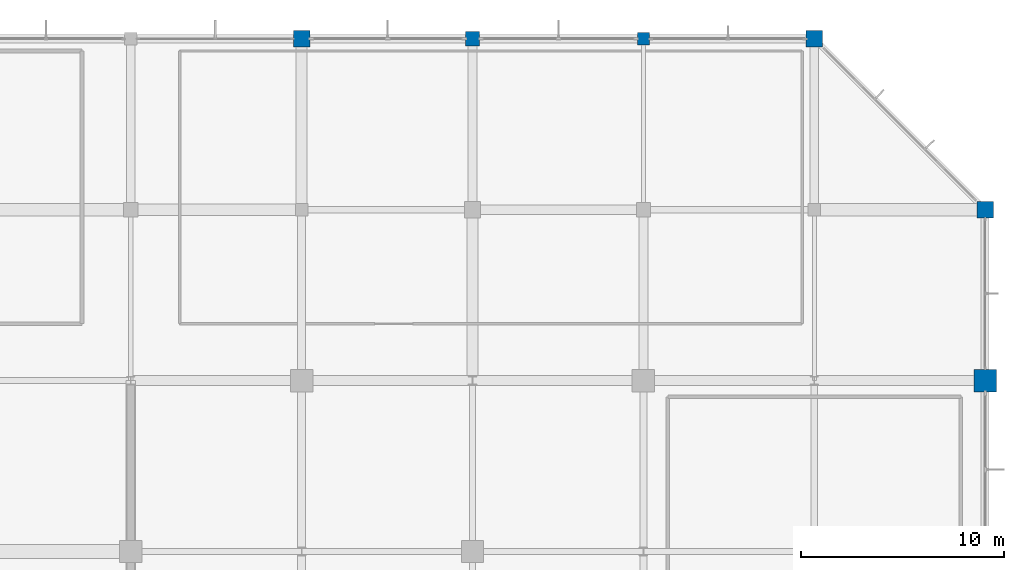
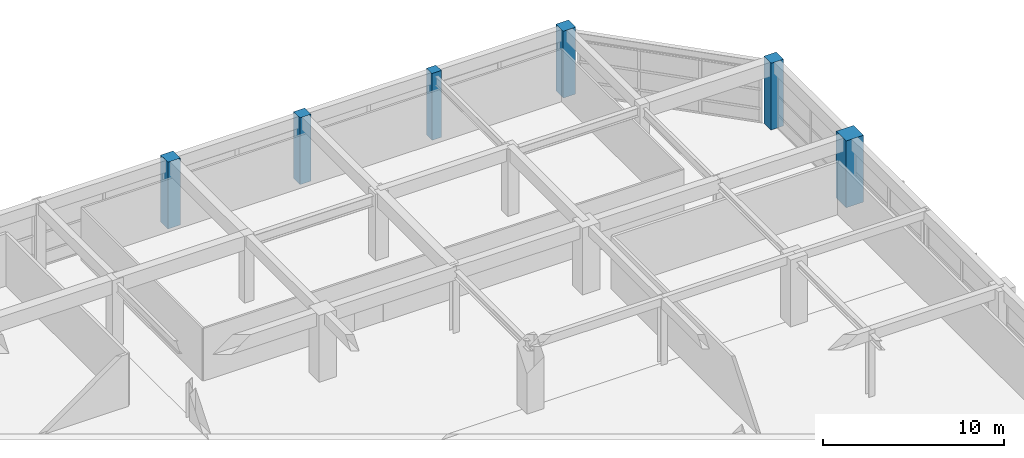
# One storey, part 9 of 56: 6 columns.
"""IFC4 building model written with IfcOpenShell, lengths in metres."""

from ifc_helpers import new_model, si_unit, direction, frame, origin, origin_2d, place, context, subcontext, project, spatial, rectangle, extrude, material, material_profile, profile_set, type_object, element, save


model = new_model("IFC4")

# Units and contexts
model_context = context("Model", 3, precision=1e-05, world=origin(), true_north=direction((0.0, 1.0)))
body_context = subcontext(model_context, "Body", "Model", "MODEL_VIEW")
ifc_project = project(units=[si_unit("LENGTHUNIT", "METRE"), si_unit("AREAUNIT", "SQUARE_METRE"), si_unit("VOLUMEUNIT", "CUBIC_METRE"), si_unit("PLANEANGLEUNIT", "RADIAN"), si_unit("MASSUNIT", "GRAM", prefix="KILO")], contexts=[model_context])

# Site, building, storey
site_placement = place(None, origin())
site = spatial("IfcSite", under=ifc_project, at=site_placement, CompositionType="ELEMENT")
building_placement = place(site_placement, origin())
building = spatial("IfcBuilding", under=site, at=building_placement, Name="Xuanlan Plaza Opera House", CompositionType="ELEMENT")
storey_placement = place(building_placement, frame((0.0, 0.0, 18.89990234375)))
storey = spatial("IfcBuildingStorey", under=building, at=storey_placement, Name="L04", CompositionType="ELEMENT", Elevation=18.89990234375)

# Columns
ifc_material_1 = material(Name="Concrete C50", Category="concrete")
ifc_material_profile_1 = material_profile(ifc_material_1, rectangle(XDim=1.10009765625, YDim=1.10009765625, at=origin_2d()), Name="RC-COL 1100x1100")
ifc_profile_set_1 = profile_set([ifc_material_profile_1], Name="Concrete C50")
column_type_1 = type_object("IfcColumnType", Name="STR-COL-C-03", PredefinedType="COLUMN", material=ifc_profile_set_1)
column_1_placement = place(storey_placement, frame((168.0, 84.0, 0.0), z_axis=(0.0, 0.0, 1.0), x_axis=(1.0, 0.0, 0.0)))
element("IfcColumn", 1, at=column_1_placement, inside=storey, type_object=column_type_1, Name="Column L04 21-K", PredefinedType="COLUMN", context=body_context, shape_type="SweptSolid", body=[
    extrude(rectangle(XDim=1.10009765625, YDim=1.10009765625, at=origin_2d()), origin(), (0.0, 0.0, 1.0), 4.5),
])
ifc_material_2 = material(Name="Concrete C40", Category="concrete")
ifc_material_profile_2 = material_profile(ifc_material_2, rectangle(XDim=0.800048828125, YDim=0.800048828125, at=origin_2d()), Name="RC-COL 800x800")
ifc_profile_set_2 = profile_set([ifc_material_profile_2], Name="Concrete C40")
column_type_2 = type_object("IfcColumnType", Name="STR-COL-C-06", PredefinedType="COLUMN", material=ifc_profile_set_2)
for number, where, z_axis, x_axis, name in (
    (2, (134.39990234375, 100.800048828125, 0.0), (0.0, 0.0, 1.0), (1.0, 0.0, 0.0), "Column L04 17-M"),
    (3, (159.60009765625, 100.800048828125, 0.0), (0.0, 0.0, 1.0), (1.0, 0.0, 0.0), "Column L04 20-M"),
    (4, (168.0, 92.39990234375, 0.0), (0.0, 0.0, 1.0), (1.0, 0.0, 0.0), "Column L04 21-L"),
):
    element("IfcColumn", number, at=place(storey_placement, frame(where, z_axis=z_axis, x_axis=x_axis)), inside=storey, type_object=column_type_2, Name=name, PredefinedType="COLUMN", context=body_context, shape_type="SweptSolid", body=[
        extrude(rectangle(XDim=0.800048828125, YDim=0.800048828125, at=origin_2d()), origin(), (0.0, 0.0, 1.0), 4.5),
    ])
ifc_material_profile_3 = material_profile(ifc_material_2, rectangle(XDim=0.699951171875, YDim=0.699951171875, at=origin_2d()), Name="RC-COL 700x700")
ifc_profile_set_3 = profile_set([ifc_material_profile_3], Name="Concrete C40")
column_type_3 = type_object("IfcColumnType", Name="STR-COL-C-07", PredefinedType="COLUMN", material=ifc_profile_set_3)
column_2_placement = place(storey_placement, frame((142.800048828125, 100.800048828125, 0.0), z_axis=(0.0, 0.0, 1.0), x_axis=(1.0, 0.0, 0.0)))
element("IfcColumn", 5, at=column_2_placement, inside=storey, type_object=column_type_3, Name="Column L04 18-M", PredefinedType="COLUMN", context=body_context, shape_type="SweptSolid", body=[
    extrude(rectangle(XDim=0.699951171875, YDim=0.699951171875, at=origin_2d()), origin(), (0.0, 0.0, 1.0), 4.5),
])
ifc_material_profile_4 = material_profile(ifc_material_2, rectangle(XDim=0.60009765625, YDim=0.60009765625, at=origin_2d()), Name="RC-COL 600x600")
ifc_profile_set_4 = profile_set([ifc_material_profile_4], Name="Concrete C40")
column_type_4 = type_object("IfcColumnType", Name="STR-COL-C-08", PredefinedType="COLUMN", material=ifc_profile_set_4)
column_3_placement = place(storey_placement, frame((151.199951171875, 100.800048828125, 0.0), z_axis=(0.0, 0.0, 1.0), x_axis=(1.0, 0.0, 0.0)))
element("IfcColumn", 6, at=column_3_placement, inside=storey, type_object=column_type_4, Name="Column L04 19-M", PredefinedType="COLUMN", context=body_context, shape_type="SweptSolid", body=[
    extrude(rectangle(XDim=0.60009765625, YDim=0.60009765625, at=origin_2d()), origin(), (0.0, 0.0, 1.0), 4.5),
])

save(model, "model.ifc")
